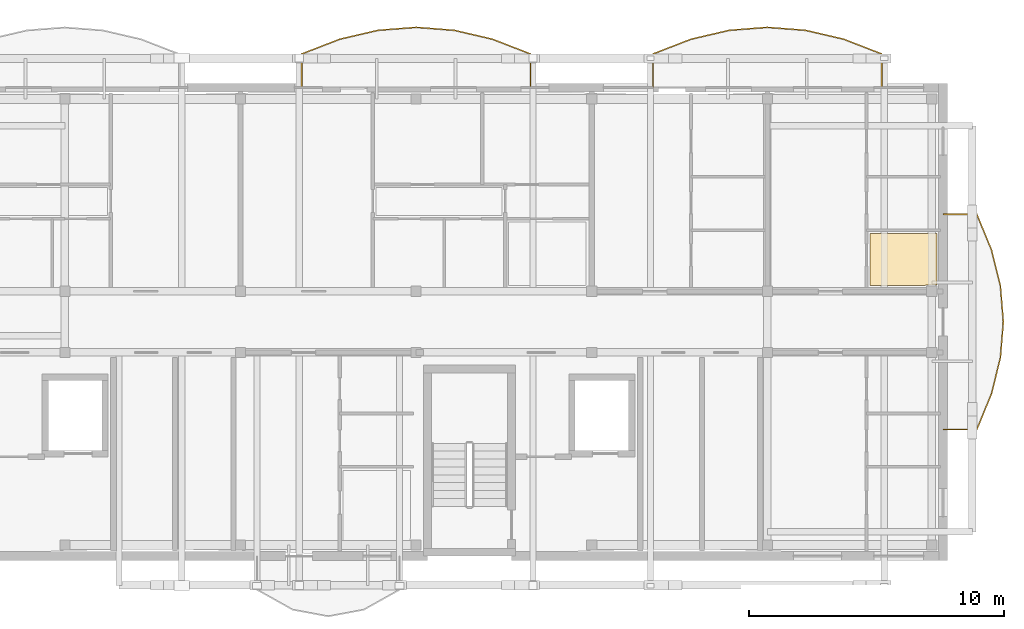
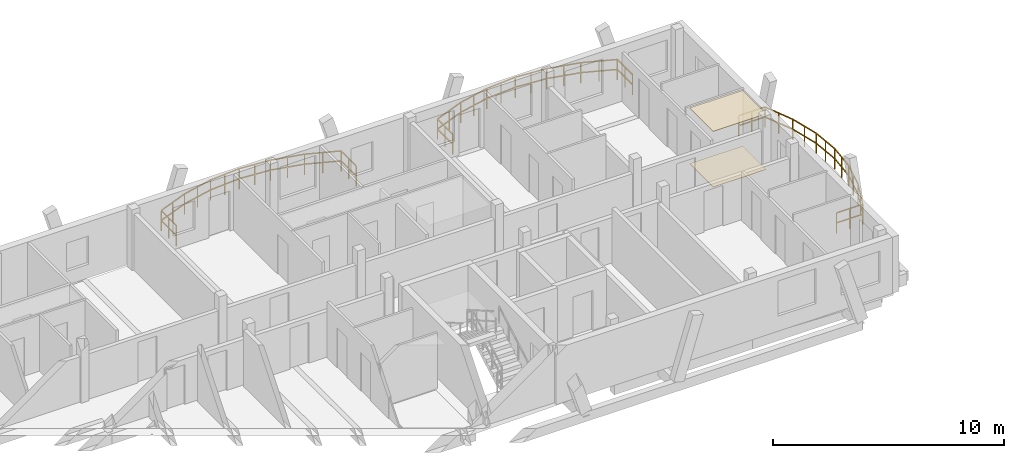
# One storey, part 41 of 41: 3 railings, 2 coverings.
"""IFC4 building model written with IfcOpenShell, lengths in metres."""

import ifcopenshell
import ifcopenshell.guid

model = None  # the IFC model being written
_history = None  # IfcOwnerHistory: only IFC2X3 demands one
_inside = {}  # id of a spatial element -> (the spatial element, [elements in it])
_under = {}  # id of a project, library or spatial element -> (it, [spatial elements below it])
_declared = {}  # id of a project -> (the project, [libraries it declares])
_typed = {}  # id of a type object -> (the type object, [elements of that type])
_made_of = {}  # id of a material, layer set ... -> (it, [elements and type objects made of it])


def new_model(schema):
    """Start an empty IFC model of exactly this schema.

    Asked for "IFC4X3", IfcOpenShell would pick the latest addendum, in which some entities
    have other attributes; the version numbers below select the first issue.
    IFC2X3 requires an IfcOwnerHistory on every rooted entity: one is made here for all.
    """
    global model, _history
    if schema == "IFC4X3":
        model = ifcopenshell.file(schema_version=(4, 3, 0, 0))
    else:
        model = ifcopenshell.file(schema=schema)
    _inside.clear()
    _under.clear()
    _declared.clear()
    _typed.clear()
    _made_of.clear()
    _history = None
    if model.schema == "IFC2X3":
        org = make("IfcOrganization", Name="unknown")
        user = make(
            "IfcPersonAndOrganization",
            ThePerson=make("IfcPerson", FamilyName="unknown"),
            TheOrganization=org,
        )
        app = make(
            "IfcApplication",
            ApplicationDeveloper=org,
            Version="unknown",
            ApplicationFullName="unknown",
            ApplicationIdentifier="unknown",
        )
        _history = make(
            "IfcOwnerHistory",
            OwningUser=user,
            OwningApplication=app,
            ChangeAction="ADDED",
            CreationDate=0,
        )
    return model


def make(cls, **values):
    """One entity of the class cls with the attributes given. An attribute that is None is left unset."""
    return model.create_entity(
        cls, **{name: value for name, value in values.items() if value is not None}
    )


def rooted(cls, **values):
    """An entity with a GlobalId (a new one), such as an element, a storey or a relation."""
    return make(cls, GlobalId=ifcopenshell.guid.new(), OwnerHistory=_history, **values)


def si_unit(unit_type, name, prefix=None):
    """IfcSIUnit, for example si_unit("LENGTHUNIT", "METRE", prefix="MILLI")."""
    return make("IfcSIUnit", UnitType=unit_type, Prefix=prefix, Name=name)


def assignment(units):
    """IfcUnitAssignment: the units of a project."""
    return None if units is None else make("IfcUnitAssignment", Units=units)


def point(xyz):
    """IfcCartesianPoint."""
    return None if xyz is None else make("IfcCartesianPoint", Coordinates=xyz)


def direction(xyz):
    """IfcDirection."""
    return None if xyz is None else make("IfcDirection", DirectionRatios=xyz)


def frame(location, z_axis=None, x_axis=None):
    """IfcAxis2Placement3D, a coordinate frame: its origin and axes. An axis left out is left unset."""
    return make(
        "IfcAxis2Placement3D",
        Location=point(location),
        Axis=direction(z_axis),
        RefDirection=direction(x_axis),
    )


def frame_2d(location, x_axis=None):
    """IfcAxis2Placement2D, a coordinate frame in the plane: its origin and x axis."""
    return make(
        "IfcAxis2Placement2D", Location=point(location), RefDirection=direction(x_axis)
    )


def origin():
    """The frame at (0, 0, 0) with its axes left unset."""
    return frame((0.0, 0.0, 0.0))


def origin_2d():
    """The frame at (0, 0) in the plane with its x axis left unset."""
    return frame_2d((0.0, 0.0))


def place(relative_to, where):
    """IfcLocalPlacement: puts the frame where relative to a parent placement (None: the world)."""
    return make(
        "IfcLocalPlacement", PlacementRelTo=relative_to, RelativePlacement=where
    )


def context(
    kind, dimensions, precision=None, world=None, true_north=None, identifier=None
):
    """IfcGeometricRepresentationContext, for example the 3D "Model" context."""
    return make(
        "IfcGeometricRepresentationContext",
        ContextIdentifier=identifier,
        ContextType=kind,
        CoordinateSpaceDimension=dimensions,
        Precision=precision,
        WorldCoordinateSystem=world,
        TrueNorth=true_north,
    )


def subcontext(parent, identifier, kind, view, scale=None):
    """IfcGeometricRepresentationSubContext, for example "Body" below "Model"."""
    return make(
        "IfcGeometricRepresentationSubContext",
        ContextIdentifier=identifier,
        ContextType=kind,
        ParentContext=parent,
        TargetScale=scale,
        TargetView=view,
    )


def project(units=None, contexts=None):
    """IfcProject with its units and contexts."""
    return rooted(
        "IfcProject",
        Name="project",
        RepresentationContexts=contexts,
        UnitsInContext=assignment(units),
    )


def spatial(cls, under=None, at=None, **own):
    """A site, building, storey or space (cls), placed at a placement, below another one or the project."""
    s = rooted(cls, ObjectPlacement=at, **own)
    if under is not None:
        _under.setdefault(under.id(), (under, []))[1].append(s)
    return s


def polyline(points):
    """IfcPolyline through the points."""
    return make("IfcPolyline", Points=[point(p) for p in points])


def profile(cls, at=None, kind="AREA", **sizes):
    """A parametric profile (cls). Its sizes go by their IFC names, for example OverallWidth=200.0."""
    return make(cls, ProfileType=kind, Position=at, **sizes)


def rectangle(**sizes):
    """IfcRectangleProfileDef."""
    return profile("IfcRectangleProfileDef", **sizes)


def outline(outer, holes=None, kind="AREA"):
    """IfcArbitraryClosedProfileDef: a profile drawn as a closed curve; with holes, ...WithVoids."""
    if holes is None:
        return make("IfcArbitraryClosedProfileDef", ProfileType=kind, OuterCurve=outer)
    return make(
        "IfcArbitraryProfileDefWithVoids",
        ProfileType=kind,
        OuterCurve=outer,
        InnerCurves=holes,
    )


def extrude(swept, where, along, depth):
    """IfcExtrudedAreaSolid: the profile swept, set in the frame where, extruded along a direction by depth."""
    return make(
        "IfcExtrudedAreaSolid",
        SweptArea=swept,
        Position=where,
        ExtrudedDirection=direction(along),
        Depth=depth,
    )


def shape(context_of_items, identifier, shape_type, items):
    """IfcShapeRepresentation: the items that make up one representation, for example the "Body"."""
    return make(
        "IfcShapeRepresentation",
        ContextOfItems=context_of_items,
        RepresentationIdentifier=identifier,
        RepresentationType=shape_type,
        Items=items,
    )


def material(Name=None, Category=None):
    """IfcMaterial."""
    return make("IfcMaterial", Name=Name, Category=Category)


def layer(
    of_material, thickness, ventilated=None, Name=None, Category=None, Priority=None
):
    """IfcMaterialLayer: one layer of a wall or slab, of a material (None: an air gap)."""
    return make(
        "IfcMaterialLayer",
        Material=of_material,
        LayerThickness=thickness,
        IsVentilated=ventilated,
        Name=Name,
        Category=Category,
        Priority=Priority,
    )


def layer_set(layers, Name=None):
    """IfcMaterialLayerSet."""
    return make("IfcMaterialLayerSet", MaterialLayers=layers, LayerSetName=Name)


def made_of(thing, what):
    """Note that an element or type object is made of a material, layer set ...; save() writes the relation."""
    if what is not None:
        _made_of.setdefault(what.id(), (what, []))[1].append(thing)
    return thing


def type_object(cls, material=None, **own):
    """A type object (cls), such as IfcWallType, which elements share."""
    return made_of(rooted(cls, **own), material)


def element(
    cls,
    number,
    at=None,
    inside=None,
    cuts=None,
    type_object=None,
    material=None,
    context=None,
    identifier="Body",
    shape_type=None,
    held_by="IfcProductDefinitionShape",
    body=None,
    shapes=None,
    **own,
):
    """One element of the class cls, such as IfcWall. Its Tag is "e" and its number.

    at: its placement. inside: the storey or other place that contains it. cuts: it is an
    opening in that element (IfcRelVoidsElement). A single representation is given by context,
    identifier, shape_type and body (its items); several are given by shapes. held_by: the class
    of the entity that holds the representations. save() writes the other relations.
    """
    e = rooted(cls, Tag="e%d" % number, ObjectPlacement=at, **own)
    if body is not None:
        shapes = [shape(context, identifier, shape_type, body)]
    if shapes is not None:
        e.Representation = make(held_by, Representations=shapes)
    if inside is not None:
        _inside.setdefault(inside.id(), (inside, []))[1].append(e)
    if cuts is not None:
        rooted(
            "IfcRelVoidsElement", RelatingBuildingElement=cuts, RelatedOpeningElement=e
        )
    if type_object is not None:
        _typed.setdefault(type_object.id(), (type_object, []))[1].append(e)
    return made_of(e, material)


def aggregate(whole, parts):
    """IfcRelAggregates: a whole, such as a stair, and the parts it consists of."""
    return rooted("IfcRelAggregates", RelatingObject=whole, RelatedObjects=parts)


def save(model, path):
    """Write the relations noted so far, then the file.

    IfcRelAggregates (storeys below a building ...), IfcRelContainedInSpatialStructure (elements
    in a storey), IfcRelDefinesByType, IfcRelAssociatesMaterial and IfcRelDeclares: one each for
    every whole, place, type object, material and project.
    """
    for whole, parts in _under.values():
        aggregate(whole, parts)
    for where, things in _inside.values():
        rooted(
            "IfcRelContainedInSpatialStructure",
            RelatedElements=things,
            RelatingStructure=where,
        )
    for kind, things in _typed.values():
        rooted("IfcRelDefinesByType", RelatedObjects=things, RelatingType=kind)
    for what, things in _made_of.values():
        rooted("IfcRelAssociatesMaterial", RelatedObjects=things, RelatingMaterial=what)
    for by, libraries in _declared.values():
        rooted("IfcRelDeclares", RelatingContext=by, RelatedDefinitions=libraries)
    model.write(path)


model = new_model("IFC4")

# Units and contexts
model_context = context("Model", 3, precision=1e-05, world=origin(), true_north=direction((0.0, 1.0)))
body_context = subcontext(model_context, "Body", "Model", "MODEL_VIEW")
ifc_project = project(units=[si_unit("LENGTHUNIT", "METRE"), si_unit("AREAUNIT", "SQUARE_METRE"), si_unit("VOLUMEUNIT", "CUBIC_METRE"), si_unit("PLANEANGLEUNIT", "RADIAN"), si_unit("MASSUNIT", "GRAM", prefix="KILO")], contexts=[model_context])

# Site, building, storey
site_placement = place(None, origin())
site = spatial("IfcSite", under=ifc_project, at=site_placement, CompositionType="ELEMENT")
building_placement = place(site_placement, origin())
building = spatial("IfcBuilding", under=site, at=building_placement, Name="Zavelmont Quarter", CompositionType="ELEMENT")
storey_placement = place(building_placement, frame((0.0, 0.0, 27.199951171875)))
storey = spatial("IfcBuildingStorey", under=building, at=storey_placement, Name="L08", CompositionType="ELEMENT", Elevation=27.199951171875)

# Coverings
ifc_material_1 = material(Name="Perforated acoustic gypsum board")
ifc_layer_1 = layer(ifc_material_1, 0.02490234375)
ifc_layer_set_1 = layer_set([ifc_layer_1], Name="Perforated acoustic gypsum board")
covering_type_1 = type_object("IfcCoveringType", Name="CV-CL01", PredefinedType="CEILING", material=ifc_layer_set_1)
covering_1_placement = place(storey_placement, frame((0.0, 0.0, 2.93505859375)))
element("IfcCovering", 1, at=covering_1_placement, inside=storey, type_object=covering_type_1, Name="L08 Kitchen acoustic ceiling", PredefinedType="CEILING", context=body_context, shape_type="SweptSolid", body=[
    extrude(outline(polyline([(165.1298828125, 110.27001953125), (167.77001953125, 110.27001953125), (167.77001953125, 108.239990234375), (167.320068359375, 108.239990234375), (167.320068359375, 108.22998046875), (165.1298828125, 108.22998046875), (165.1298828125, 110.27001953125)])), origin(), (0.0, 0.0, 1.0), 0.02490234375),
])
ifc_material_2 = material(Name="Engineered European oak parquet")
ifc_layer_2 = layer(ifc_material_2, 0.02197265625)
ifc_layer_set_2 = layer_set([ifc_layer_2], Name="Engineered European oak parquet")
covering_type_2 = type_object("IfcCoveringType", Name="CV-FL01", PredefinedType="FLOORING", material=ifc_layer_set_2)
covering_2_placement = place(storey_placement, origin())
element("IfcCovering", 2, at=covering_2_placement, inside=storey, type_object=covering_type_2, Name="L08 Kitchen floor finish", PredefinedType="FLOORING", context=body_context, shape_type="SweptSolid", body=[
    extrude(outline(polyline([(165.1298828125, 110.27001953125), (167.77001953125, 110.27001953125), (167.77001953125, 108.239990234375), (167.320068359375, 108.239990234375), (167.320068359375, 108.22998046875), (165.1298828125, 108.22998046875), (165.1298828125, 110.27001953125)])), origin(), (0.0, 0.0, 1.0), 0.02197265625),
])

# Railings
ifc_material_3 = material(Name="Powder-coated steel and tempered double safety glass", Category="steel")
railing_type = type_object("IfcRailingType", Name="RL-BAL1", PredefinedType="BALUSTRADE", material=ifc_material_3)
railing_1_placement = place(storey_placement, frame((151.79248046875, 116.02001953125, 0.0)))
element("IfcRailing", 3, at=railing_1_placement, inside=storey, type_object=railing_type, Name="L08 Block C curved balcony guard RL-BAL1", PredefinedType="BALUSTRADE", context=body_context, shape_type="SweptSolid", body=[
    extrude(rectangle(XDim=0.048095703125, YDim=0.048095703125, at=origin_2d()), frame((0.0, 0.0, 1.076171875), z_axis=(0.0, 1.0, 0.0), x_axis=(-1.0, 0.0, 0.0)), (0.0, 0.0, 1.0), 1.308837890625),
    extrude(rectangle(XDim=0.048095703125, YDim=0.048095703125, at=origin_2d()), frame((0.0, 0.0, 0.550048828125), z_axis=(0.0, 1.0, 0.0), x_axis=(-1.0, 0.0, 0.0)), (0.0, 0.0, 1.0), 1.308837890625),
    extrude(rectangle(XDim=0.048095703125, YDim=0.048095703125, at=origin_2d()), frame((0.0, 1.308837890625, 1.076171875), z_axis=(-0.932468995555, 0.361250013605, 0.0), x_axis=(-0.361250013605, -0.932468995555, 0.0)), (0.0, 0.0, 1.0), 1.605712890625),
    extrude(rectangle(XDim=0.048095703125, YDim=0.048095703125, at=origin_2d()), frame((0.0, 1.308837890625, 0.550048828125), z_axis=(-0.932468995555, 0.361250013605, 0.0), x_axis=(-0.361250013605, -0.932468995555, 0.0)), (0.0, 0.0, 1.0), 1.605712890625),
    extrude(rectangle(XDim=0.048095703125, YDim=0.048095703125, at=origin_2d()), frame((-1.497314453125, 1.888916015625, 1.076171875), z_axis=(-0.9740259481, 0.226436420279, 0.0), x_axis=(-0.226436420279, -0.9740259481, 0.0)), (0.0, 0.0, 1.0), 1.53759765625),
    extrude(rectangle(XDim=0.048095703125, YDim=0.048095703125, at=origin_2d()), frame((-1.497314453125, 1.888916015625, 0.550048828125), z_axis=(-0.9740259481, 0.226436420279, 0.0), x_axis=(-0.226436420279, -0.9740259481, 0.0)), (0.0, 0.0, 1.0), 1.53759765625),
    extrude(rectangle(XDim=0.048095703125, YDim=0.048095703125, at=origin_2d()), frame((-2.994873046875, 2.237060546875, 1.076171875), z_axis=(-0.997015154649, 0.077206096912, 0.0), x_axis=(-0.077206096912, -0.997015154649, 0.0)), (0.0, 0.0, 1.0), 1.501953125),
    extrude(rectangle(XDim=0.048095703125, YDim=0.048095703125, at=origin_2d()), frame((-2.994873046875, 2.237060546875, 0.550048828125), z_axis=(-0.997015154649, 0.077206096912, 0.0), x_axis=(-0.077206096912, -0.997015154649, 0.0)), (0.0, 0.0, 1.0), 1.501953125),
    extrude(rectangle(XDim=0.048095703125, YDim=0.048095703125, at=origin_2d()), frame((-4.492431640625, 2.35302734375, 1.076171875), z_axis=(-0.997015154649, -0.077206096912, 0.0), x_axis=(0.077206096912, -0.997015154649, 0.0)), (0.0, 0.0, 1.0), 1.501953125),
    extrude(rectangle(XDim=0.048095703125, YDim=0.048095703125, at=origin_2d()), frame((-4.492431640625, 2.35302734375, 0.550048828125), z_axis=(-0.997015154649, -0.077206096912, 0.0), x_axis=(0.077206096912, -0.997015154649, 0.0)), (0.0, 0.0, 1.0), 1.501953125),
    extrude(rectangle(XDim=0.048095703125, YDim=0.048095703125, at=origin_2d()), frame((-5.989990234375, 2.237060546875, 1.076171875), z_axis=(-0.9740259481, -0.226436420279, 0.0), x_axis=(0.226436420279, -0.9740259481, 0.0)), (0.0, 0.0, 1.0), 1.53759765625),
    extrude(rectangle(XDim=0.048095703125, YDim=0.048095703125, at=origin_2d()), frame((-5.989990234375, 2.237060546875, 0.550048828125), z_axis=(-0.9740259481, -0.226436420279, 0.0), x_axis=(0.226436420279, -0.9740259481, 0.0)), (0.0, 0.0, 1.0), 1.53759765625),
    extrude(rectangle(XDim=0.048095703125, YDim=0.048095703125, at=origin_2d()), frame((-7.487548828125, 1.888916015625, 1.076171875), z_axis=(-0.932488832958, -0.36119880455, 0.0), x_axis=(0.36119880455, -0.932488832958, 0.0)), (0.0, 0.0, 1.0), 1.60595703125),
    extrude(rectangle(XDim=0.048095703125, YDim=0.048095703125, at=origin_2d()), frame((-7.487548828125, 1.888916015625, 0.550048828125), z_axis=(-0.932488832958, -0.36119880455, 0.0), x_axis=(0.36119880455, -0.932488832958, 0.0)), (0.0, 0.0, 1.0), 1.60595703125),
    extrude(rectangle(XDim=0.048095703125, YDim=0.048095703125, at=origin_2d()), frame((-8.985107421875, 1.308837890625, 1.076171875), z_axis=(0.0, -1.0, 0.0), x_axis=(1.0, 0.0, 0.0)), (0.0, 0.0, 1.0), 1.308837890625),
    extrude(rectangle(XDim=0.048095703125, YDim=0.048095703125, at=origin_2d()), frame((-8.985107421875, 1.308837890625, 0.550048828125), z_axis=(0.0, -1.0, 0.0), x_axis=(1.0, 0.0, 0.0)), (0.0, 0.0, 1.0), 1.308837890625),
    extrude(rectangle(XDim=0.0419921875, YDim=0.0419921875, at=origin_2d()), origin(), (0.0, 0.0, 1.0), 1.052001953125),
    extrude(rectangle(XDim=0.0419921875, YDim=0.0419921875, at=origin_2d()), frame((0.0, 0.654296875, 0.0)), (0.0, 0.0, 1.0), 1.052001953125),
    extrude(rectangle(XDim=0.0419921875, YDim=0.0419921875, at=origin_2d()), frame((0.0, 1.308837890625, 0.0)), (0.0, 0.0, 1.0), 1.052001953125),
    extrude(rectangle(XDim=0.0419921875, YDim=0.0419921875, at=origin_2d()), frame((-0.74853515625, 1.598876953125, 0.0)), (0.0, 0.0, 1.0), 1.052001953125),
    extrude(rectangle(XDim=0.0419921875, YDim=0.0419921875, at=origin_2d()), frame((-1.497314453125, 1.888916015625, 0.0)), (0.0, 0.0, 1.0), 1.052001953125),
    extrude(rectangle(XDim=0.0419921875, YDim=0.0419921875, at=origin_2d()), frame((-2.24609375, 2.06298828125, 0.0)), (0.0, 0.0, 1.0), 1.052001953125),
    extrude(rectangle(XDim=0.0419921875, YDim=0.0419921875, at=origin_2d()), frame((-2.994873046875, 2.237060546875, 0.0)), (0.0, 0.0, 1.0), 1.052001953125),
    extrude(rectangle(XDim=0.0419921875, YDim=0.0419921875, at=origin_2d()), frame((-3.74365234375, 2.294921875, 0.0)), (0.0, 0.0, 1.0), 1.052001953125),
    extrude(rectangle(XDim=0.0419921875, YDim=0.0419921875, at=origin_2d()), frame((-4.492431640625, 2.35302734375, 0.0)), (0.0, 0.0, 1.0), 1.052001953125),
    extrude(rectangle(XDim=0.0419921875, YDim=0.0419921875, at=origin_2d()), frame((-5.2412109375, 2.294921875, 0.0)), (0.0, 0.0, 1.0), 1.052001953125),
    extrude(rectangle(XDim=0.0419921875, YDim=0.0419921875, at=origin_2d()), frame((-5.989990234375, 2.237060546875, 0.0)), (0.0, 0.0, 1.0), 1.052001953125),
    extrude(rectangle(XDim=0.0419921875, YDim=0.0419921875, at=origin_2d()), frame((-6.73876953125, 2.06298828125, 0.0)), (0.0, 0.0, 1.0), 1.052001953125),
    extrude(rectangle(XDim=0.0419921875, YDim=0.0419921875, at=origin_2d()), frame((-7.487548828125, 1.888916015625, 0.0)), (0.0, 0.0, 1.0), 1.052001953125),
    extrude(rectangle(XDim=0.0419921875, YDim=0.0419921875, at=origin_2d()), frame((-8.236328125, 1.598876953125, 0.0)), (0.0, 0.0, 1.0), 1.052001953125),
    extrude(rectangle(XDim=0.0419921875, YDim=0.0419921875, at=origin_2d()), frame((-8.985107421875, 1.308837890625, 0.0)), (0.0, 0.0, 1.0), 1.052001953125),
    extrude(rectangle(XDim=0.0419921875, YDim=0.0419921875, at=origin_2d()), frame((-8.985107421875, 0.654296875, 0.0)), (0.0, 0.0, 1.0), 1.052001953125),
    extrude(rectangle(XDim=0.0419921875, YDim=0.0419921875, at=origin_2d()), frame((-8.985107421875, 0.0, 0.0)), (0.0, 0.0, 1.0), 1.052001953125),
])
railing_2_placement = place(storey_placement, frame((165.592529296875, 116.02001953125, 0.0)))
element("IfcRailing", 4, at=railing_2_placement, inside=storey, type_object=railing_type, Name="L08 Block C curved balcony guard RL-BAL1", PredefinedType="BALUSTRADE", context=body_context, shape_type="SweptSolid", body=[
    extrude(rectangle(XDim=0.048095703125, YDim=0.048095703125, at=origin_2d()), frame((0.0, 0.0, 1.076171875), z_axis=(0.0, 1.0, 0.0), x_axis=(-1.0, 0.0, 0.0)), (0.0, 0.0, 1.0), 1.308837890625),
    extrude(rectangle(XDim=0.048095703125, YDim=0.048095703125, at=origin_2d()), frame((0.0, 0.0, 0.550048828125), z_axis=(0.0, 1.0, 0.0), x_axis=(-1.0, 0.0, 0.0)), (0.0, 0.0, 1.0), 1.308837890625),
    extrude(rectangle(XDim=0.048095703125, YDim=0.048095703125, at=origin_2d()), frame((0.0, 1.308837890625, 1.076171875), z_axis=(-0.932468995555, 0.361250013605, 0.0), x_axis=(-0.361250013605, -0.932468995555, 0.0)), (0.0, 0.0, 1.0), 1.605712890625),
    extrude(rectangle(XDim=0.048095703125, YDim=0.048095703125, at=origin_2d()), frame((0.0, 1.308837890625, 0.550048828125), z_axis=(-0.932468995555, 0.361250013605, 0.0), x_axis=(-0.361250013605, -0.932468995555, 0.0)), (0.0, 0.0, 1.0), 1.605712890625),
    extrude(rectangle(XDim=0.048095703125, YDim=0.048095703125, at=origin_2d()), frame((-1.497314453125, 1.888916015625, 1.076171875), z_axis=(-0.97403408799, 0.226401403337, 0.0), x_axis=(-0.226401403337, -0.97403408799, 0.0)), (0.0, 0.0, 1.0), 1.537841796875),
    extrude(rectangle(XDim=0.048095703125, YDim=0.048095703125, at=origin_2d()), frame((-1.497314453125, 1.888916015625, 0.550048828125), z_axis=(-0.97403408799, 0.226401403337, 0.0), x_axis=(-0.226401403337, -0.97403408799, 0.0)), (0.0, 0.0, 1.0), 1.537841796875),
    extrude(rectangle(XDim=0.048095703125, YDim=0.048095703125, at=origin_2d()), frame((-2.9951171875, 2.237060546875, 1.076171875), z_axis=(-0.997014185553, 0.07721861049, 0.0), x_axis=(-0.07721861049, -0.997014185553, 0.0)), (0.0, 0.0, 1.0), 1.501708984375),
    extrude(rectangle(XDim=0.048095703125, YDim=0.048095703125, at=origin_2d()), frame((-2.9951171875, 2.237060546875, 0.550048828125), z_axis=(-0.997014185553, 0.07721861049, 0.0), x_axis=(-0.07721861049, -0.997014185553, 0.0)), (0.0, 0.0, 1.0), 1.501708984375),
    extrude(rectangle(XDim=0.048095703125, YDim=0.048095703125, at=origin_2d()), frame((-4.492431640625, 2.35302734375, 1.076171875), z_axis=(-0.997015154649, -0.077206096912, 0.0), x_axis=(0.077206096912, -0.997015154649, 0.0)), (0.0, 0.0, 1.0), 1.501953125),
    extrude(rectangle(XDim=0.048095703125, YDim=0.048095703125, at=origin_2d()), frame((-4.492431640625, 2.35302734375, 0.550048828125), z_axis=(-0.997015154649, -0.077206096912, 0.0), x_axis=(0.077206096912, -0.997015154649, 0.0)), (0.0, 0.0, 1.0), 1.501953125),
    extrude(rectangle(XDim=0.048095703125, YDim=0.048095703125, at=origin_2d()), frame((-5.989990234375, 2.237060546875, 1.076171875), z_axis=(-0.9740259481, -0.226436420279, 0.0), x_axis=(0.226436420279, -0.9740259481, 0.0)), (0.0, 0.0, 1.0), 1.53759765625),
    extrude(rectangle(XDim=0.048095703125, YDim=0.048095703125, at=origin_2d()), frame((-5.989990234375, 2.237060546875, 0.550048828125), z_axis=(-0.9740259481, -0.226436420279, 0.0), x_axis=(0.226436420279, -0.9740259481, 0.0)), (0.0, 0.0, 1.0), 1.53759765625),
    extrude(rectangle(XDim=0.048095703125, YDim=0.048095703125, at=origin_2d()), frame((-7.487548828125, 1.888916015625, 1.076171875), z_axis=(-0.932488832958, -0.36119880455, 0.0), x_axis=(0.36119880455, -0.932488832958, 0.0)), (0.0, 0.0, 1.0), 1.60595703125),
    extrude(rectangle(XDim=0.048095703125, YDim=0.048095703125, at=origin_2d()), frame((-7.487548828125, 1.888916015625, 0.550048828125), z_axis=(-0.932488832958, -0.36119880455, 0.0), x_axis=(0.36119880455, -0.932488832958, 0.0)), (0.0, 0.0, 1.0), 1.60595703125),
    extrude(rectangle(XDim=0.048095703125, YDim=0.048095703125, at=origin_2d()), frame((-8.985107421875, 1.308837890625, 1.076171875), z_axis=(0.0, -1.0, 0.0), x_axis=(1.0, 0.0, 0.0)), (0.0, 0.0, 1.0), 1.308837890625),
    extrude(rectangle(XDim=0.048095703125, YDim=0.048095703125, at=origin_2d()), frame((-8.985107421875, 1.308837890625, 0.550048828125), z_axis=(0.0, -1.0, 0.0), x_axis=(1.0, 0.0, 0.0)), (0.0, 0.0, 1.0), 1.308837890625),
    extrude(rectangle(XDim=0.0419921875, YDim=0.0419921875, at=origin_2d()), origin(), (0.0, 0.0, 1.0), 1.052001953125),
    extrude(rectangle(XDim=0.0419921875, YDim=0.0419921875, at=origin_2d()), frame((0.0, 0.654296875, 0.0)), (0.0, 0.0, 1.0), 1.052001953125),
    extrude(rectangle(XDim=0.0419921875, YDim=0.0419921875, at=origin_2d()), frame((0.0, 1.308837890625, 0.0)), (0.0, 0.0, 1.0), 1.052001953125),
    extrude(rectangle(XDim=0.0419921875, YDim=0.0419921875, at=origin_2d()), frame((-0.74853515625, 1.598876953125, 0.0)), (0.0, 0.0, 1.0), 1.052001953125),
    extrude(rectangle(XDim=0.0419921875, YDim=0.0419921875, at=origin_2d()), frame((-1.497314453125, 1.888916015625, 0.0)), (0.0, 0.0, 1.0), 1.052001953125),
    extrude(rectangle(XDim=0.0419921875, YDim=0.0419921875, at=origin_2d()), frame((-2.24609375, 2.06298828125, 0.0)), (0.0, 0.0, 1.0), 1.052001953125),
    extrude(rectangle(XDim=0.0419921875, YDim=0.0419921875, at=origin_2d()), frame((-2.9951171875, 2.237060546875, 0.0)), (0.0, 0.0, 1.0), 1.052001953125),
    extrude(rectangle(XDim=0.0419921875, YDim=0.0419921875, at=origin_2d()), frame((-3.74365234375, 2.294921875, 0.0)), (0.0, 0.0, 1.0), 1.052001953125),
    extrude(rectangle(XDim=0.0419921875, YDim=0.0419921875, at=origin_2d()), frame((-4.492431640625, 2.35302734375, 0.0)), (0.0, 0.0, 1.0), 1.052001953125),
    extrude(rectangle(XDim=0.0419921875, YDim=0.0419921875, at=origin_2d()), frame((-5.2412109375, 2.294921875, 0.0)), (0.0, 0.0, 1.0), 1.052001953125),
    extrude(rectangle(XDim=0.0419921875, YDim=0.0419921875, at=origin_2d()), frame((-5.989990234375, 2.237060546875, 0.0)), (0.0, 0.0, 1.0), 1.052001953125),
    extrude(rectangle(XDim=0.0419921875, YDim=0.0419921875, at=origin_2d()), frame((-6.73876953125, 2.06298828125, 0.0)), (0.0, 0.0, 1.0), 1.052001953125),
    extrude(rectangle(XDim=0.0419921875, YDim=0.0419921875, at=origin_2d()), frame((-7.487548828125, 1.888916015625, 0.0)), (0.0, 0.0, 1.0), 1.052001953125),
    extrude(rectangle(XDim=0.0419921875, YDim=0.0419921875, at=origin_2d()), frame((-8.236328125, 1.598876953125, 0.0)), (0.0, 0.0, 1.0), 1.052001953125),
    extrude(rectangle(XDim=0.0419921875, YDim=0.0419921875, at=origin_2d()), frame((-8.985107421875, 1.308837890625, 0.0)), (0.0, 0.0, 1.0), 1.052001953125),
    extrude(rectangle(XDim=0.0419921875, YDim=0.0419921875, at=origin_2d()), frame((-8.985107421875, 0.654296875, 0.0)), (0.0, 0.0, 1.0), 1.052001953125),
    extrude(rectangle(XDim=0.0419921875, YDim=0.0419921875, at=origin_2d()), frame((-8.985107421875, 0.0, 0.0)), (0.0, 0.0, 1.0), 1.052001953125),
])
railing_3_placement = place(storey_placement, frame((168.02001953125, 102.568115234375, 0.0)))
element("IfcRailing", 5, at=railing_3_placement, inside=storey, type_object=railing_type, Name="L08 Block C curved balcony guard RL-BAL1", PredefinedType="BALUSTRADE", context=body_context, shape_type="SweptSolid", body=[
    extrude(rectangle(XDim=0.048095703125, YDim=0.048095703125, at=origin_2d()), frame((0.0, 0.0, 1.076171875), z_axis=(1.0, 0.0, 0.0), x_axis=(0.0, 1.0, 0.0)), (0.0, 0.0, 1.0), 1.308837890625),
    extrude(rectangle(XDim=0.048095703125, YDim=0.048095703125, at=origin_2d()), frame((0.0, 0.0, 0.550048828125), z_axis=(1.0, 0.0, 0.0), x_axis=(0.0, 1.0, 0.0)), (0.0, 0.0, 1.0), 1.308837890625),
    extrude(rectangle(XDim=0.048095703125, YDim=0.048095703125, at=origin_2d()), frame((1.308837890625, 0.0, 1.076171875), z_axis=(0.380315029749, 0.924857004162, 0.0), x_axis=(-0.924857004162, 0.380315029749, 0.0)), (0.0, 0.0, 1.0), 1.525146484375),
    extrude(rectangle(XDim=0.048095703125, YDim=0.048095703125, at=origin_2d()), frame((1.308837890625, 0.0, 0.550048828125), z_axis=(0.380315029749, 0.924857004162, 0.0), x_axis=(-0.924857004162, 0.380315029749, 0.0)), (0.0, 0.0, 1.0), 1.525146484375),
    extrude(rectangle(XDim=0.048095703125, YDim=0.048095703125, at=origin_2d()), frame((1.888916015625, 1.41064453125, 1.076171875), z_axis=(0.239608846937, 0.970869507436, 0.0), x_axis=(-0.970869507436, 0.239608846937, 0.0)), (0.0, 0.0, 1.0), 1.452880859375),
    extrude(rectangle(XDim=0.048095703125, YDim=0.048095703125, at=origin_2d()), frame((1.888916015625, 1.41064453125, 0.550048828125), z_axis=(0.239608846937, 0.970869507436, 0.0), x_axis=(-0.970869507436, 0.239608846937, 0.0)), (0.0, 0.0, 1.0), 1.452880859375),
    extrude(rectangle(XDim=0.048095703125, YDim=0.048095703125, at=origin_2d()), frame((2.237060546875, 2.8212890625, 1.076171875), z_axis=(0.081931985715, 0.996637923078, 0.0), x_axis=(-0.996637923078, 0.081931985715, 0.0)), (0.0, 0.0, 1.0), 1.415283203125),
    extrude(rectangle(XDim=0.048095703125, YDim=0.048095703125, at=origin_2d()), frame((2.237060546875, 2.8212890625, 0.550048828125), z_axis=(0.081931985715, 0.996637923078, 0.0), x_axis=(-0.996637923078, 0.081931985715, 0.0)), (0.0, 0.0, 1.0), 1.415283203125),
    extrude(rectangle(XDim=0.048095703125, YDim=0.048095703125, at=origin_2d()), frame((2.35302734375, 4.23193359375, 1.076171875), z_axis=(-0.081931985715, 0.996637923078, 0.0), x_axis=(-0.996637923078, -0.081931985715, 0.0)), (0.0, 0.0, 1.0), 1.415283203125),
    extrude(rectangle(XDim=0.048095703125, YDim=0.048095703125, at=origin_2d()), frame((2.35302734375, 4.23193359375, 0.550048828125), z_axis=(-0.081931985715, 0.996637923078, 0.0), x_axis=(-0.996637923078, -0.081931985715, 0.0)), (0.0, 0.0, 1.0), 1.415283203125),
    extrude(rectangle(XDim=0.048095703125, YDim=0.048095703125, at=origin_2d()), frame((2.237060546875, 5.642578125, 1.076171875), z_axis=(-0.239608846937, 0.970869507436, 0.0), x_axis=(-0.970869507436, -0.239608846937, 0.0)), (0.0, 0.0, 1.0), 1.452880859375),
    extrude(rectangle(XDim=0.048095703125, YDim=0.048095703125, at=origin_2d()), frame((2.237060546875, 5.642578125, 0.550048828125), z_axis=(-0.239608846937, 0.970869507436, 0.0), x_axis=(-0.970869507436, -0.239608846937, 0.0)), (0.0, 0.0, 1.0), 1.452880859375),
    extrude(rectangle(XDim=0.048095703125, YDim=0.048095703125, at=origin_2d()), frame((1.888916015625, 7.05322265625, 1.076171875), z_axis=(-0.380315029749, 0.924857004162, 0.0), x_axis=(-0.924857004162, -0.380315029749, 0.0)), (0.0, 0.0, 1.0), 1.525146484375),
    extrude(rectangle(XDim=0.048095703125, YDim=0.048095703125, at=origin_2d()), frame((1.888916015625, 7.05322265625, 0.550048828125), z_axis=(-0.380315029749, 0.924857004162, 0.0), x_axis=(-0.924857004162, -0.380315029749, 0.0)), (0.0, 0.0, 1.0), 1.525146484375),
    extrude(rectangle(XDim=0.048095703125, YDim=0.048095703125, at=origin_2d()), frame((1.308837890625, 8.4638671875, 1.076171875), z_axis=(-1.0, 0.0, 0.0), x_axis=(0.0, -1.0, 0.0)), (0.0, 0.0, 1.0), 1.308837890625),
    extrude(rectangle(XDim=0.048095703125, YDim=0.048095703125, at=origin_2d()), frame((1.308837890625, 8.4638671875, 0.550048828125), z_axis=(-1.0, 0.0, 0.0), x_axis=(0.0, -1.0, 0.0)), (0.0, 0.0, 1.0), 1.308837890625),
    extrude(rectangle(XDim=0.0419921875, YDim=0.0419921875, at=origin_2d()), origin(), (0.0, 0.0, 1.0), 1.052001953125),
    extrude(rectangle(XDim=0.0419921875, YDim=0.0419921875, at=origin_2d()), frame((0.654296875, 0.0, 0.0)), (0.0, 0.0, 1.0), 1.052001953125),
    extrude(rectangle(XDim=0.0419921875, YDim=0.0419921875, at=origin_2d()), frame((1.308837890625, 0.0, 0.0)), (0.0, 0.0, 1.0), 1.052001953125),
    extrude(rectangle(XDim=0.0419921875, YDim=0.0419921875, at=origin_2d()), frame((1.598876953125, 0.705322265625, 0.0)), (0.0, 0.0, 1.0), 1.052001953125),
    extrude(rectangle(XDim=0.0419921875, YDim=0.0419921875, at=origin_2d()), frame((1.888916015625, 1.41064453125, 0.0)), (0.0, 0.0, 1.0), 1.052001953125),
    extrude(rectangle(XDim=0.0419921875, YDim=0.0419921875, at=origin_2d()), frame((2.06298828125, 2.115966796875, 0.0)), (0.0, 0.0, 1.0), 1.052001953125),
    extrude(rectangle(XDim=0.0419921875, YDim=0.0419921875, at=origin_2d()), frame((2.237060546875, 2.8212890625, 0.0)), (0.0, 0.0, 1.0), 1.052001953125),
    extrude(rectangle(XDim=0.0419921875, YDim=0.0419921875, at=origin_2d()), frame((2.294921875, 3.526611328125, 0.0)), (0.0, 0.0, 1.0), 1.052001953125),
    extrude(rectangle(XDim=0.0419921875, YDim=0.0419921875, at=origin_2d()), frame((2.35302734375, 4.23193359375, 0.0)), (0.0, 0.0, 1.0), 1.052001953125),
    extrude(rectangle(XDim=0.0419921875, YDim=0.0419921875, at=origin_2d()), frame((2.294921875, 4.937255859375, 0.0)), (0.0, 0.0, 1.0), 1.052001953125),
    extrude(rectangle(XDim=0.0419921875, YDim=0.0419921875, at=origin_2d()), frame((2.237060546875, 5.642578125, 0.0)), (0.0, 0.0, 1.0), 1.052001953125),
    extrude(rectangle(XDim=0.0419921875, YDim=0.0419921875, at=origin_2d()), frame((2.06298828125, 6.347900390625, 0.0)), (0.0, 0.0, 1.0), 1.052001953125),
    extrude(rectangle(XDim=0.0419921875, YDim=0.0419921875, at=origin_2d()), frame((1.888916015625, 7.05322265625, 0.0)), (0.0, 0.0, 1.0), 1.052001953125),
    extrude(rectangle(XDim=0.0419921875, YDim=0.0419921875, at=origin_2d()), frame((1.598876953125, 7.758544921875, 0.0)), (0.0, 0.0, 1.0), 1.052001953125),
    extrude(rectangle(XDim=0.0419921875, YDim=0.0419921875, at=origin_2d()), frame((1.308837890625, 8.4638671875, 0.0)), (0.0, 0.0, 1.0), 1.052001953125),
    extrude(rectangle(XDim=0.0419921875, YDim=0.0419921875, at=origin_2d()), frame((0.654296875, 8.4638671875, 0.0)), (0.0, 0.0, 1.0), 1.052001953125),
    extrude(rectangle(XDim=0.0419921875, YDim=0.0419921875, at=origin_2d()), frame((0.0, 8.4638671875, 0.0)), (0.0, 0.0, 1.0), 1.052001953125),
])

save(model, "model.ifc")
